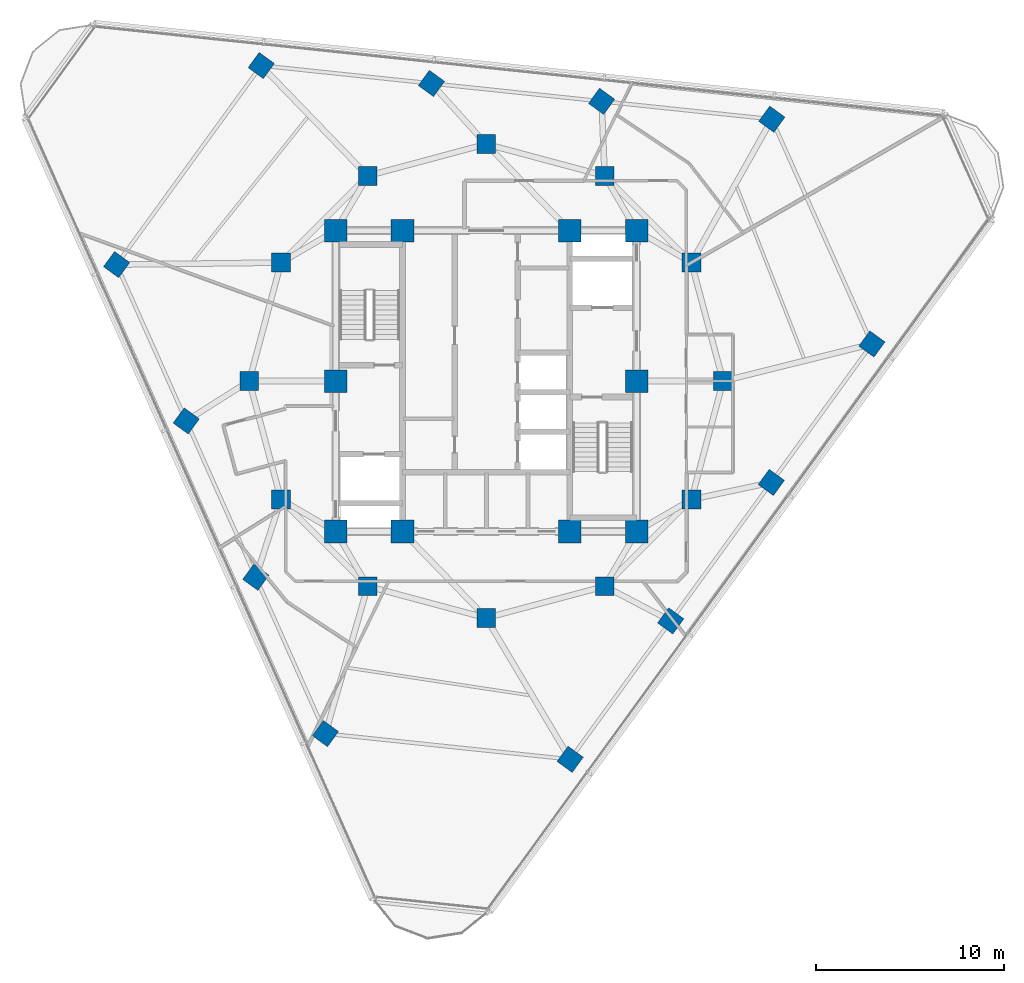
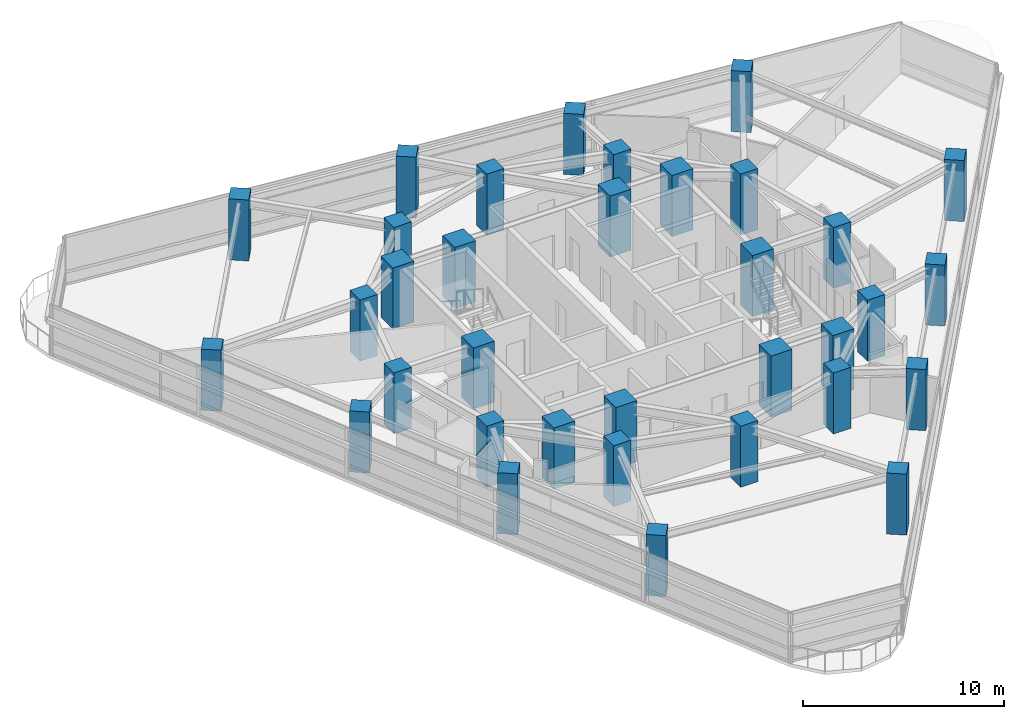
# One storey, part 1 of 14: 34 columns.
"""IFC4 building model written with IfcOpenShell, lengths in metres."""

import ifcopenshell
import ifcopenshell.guid

model = None  # the IFC model being written
_history = None  # IfcOwnerHistory: only IFC2X3 demands one
_inside = {}  # id of a spatial element -> (the spatial element, [elements in it])
_under = {}  # id of a project, library or spatial element -> (it, [spatial elements below it])
_declared = {}  # id of a project -> (the project, [libraries it declares])
_typed = {}  # id of a type object -> (the type object, [elements of that type])
_made_of = {}  # id of a material, layer set ... -> (it, [elements and type objects made of it])


def new_model(schema):
    """Start an empty IFC model of exactly this schema.

    Asked for "IFC4X3", IfcOpenShell would pick the latest addendum, in which some entities
    have other attributes; the version numbers below select the first issue.
    IFC2X3 requires an IfcOwnerHistory on every rooted entity: one is made here for all.
    """
    global model, _history
    if schema == "IFC4X3":
        model = ifcopenshell.file(schema_version=(4, 3, 0, 0))
    else:
        model = ifcopenshell.file(schema=schema)
    _inside.clear()
    _under.clear()
    _declared.clear()
    _typed.clear()
    _made_of.clear()
    _history = None
    if model.schema == "IFC2X3":
        org = make("IfcOrganization", Name="unknown")
        user = make(
            "IfcPersonAndOrganization",
            ThePerson=make("IfcPerson", FamilyName="unknown"),
            TheOrganization=org,
        )
        app = make(
            "IfcApplication",
            ApplicationDeveloper=org,
            Version="unknown",
            ApplicationFullName="unknown",
            ApplicationIdentifier="unknown",
        )
        _history = make(
            "IfcOwnerHistory",
            OwningUser=user,
            OwningApplication=app,
            ChangeAction="ADDED",
            CreationDate=0,
        )
    return model


def make(cls, **values):
    """One entity of the class cls with the attributes given. An attribute that is None is left unset."""
    return model.create_entity(
        cls, **{name: value for name, value in values.items() if value is not None}
    )


def rooted(cls, **values):
    """An entity with a GlobalId (a new one), such as an element, a storey or a relation."""
    return make(cls, GlobalId=ifcopenshell.guid.new(), OwnerHistory=_history, **values)


def si_unit(unit_type, name, prefix=None):
    """IfcSIUnit, for example si_unit("LENGTHUNIT", "METRE", prefix="MILLI")."""
    return make("IfcSIUnit", UnitType=unit_type, Prefix=prefix, Name=name)


def assignment(units):
    """IfcUnitAssignment: the units of a project."""
    return None if units is None else make("IfcUnitAssignment", Units=units)


def point(xyz):
    """IfcCartesianPoint."""
    return None if xyz is None else make("IfcCartesianPoint", Coordinates=xyz)


def direction(xyz):
    """IfcDirection."""
    return None if xyz is None else make("IfcDirection", DirectionRatios=xyz)


def frame(location, z_axis=None, x_axis=None):
    """IfcAxis2Placement3D, a coordinate frame: its origin and axes. An axis left out is left unset."""
    return make(
        "IfcAxis2Placement3D",
        Location=point(location),
        Axis=direction(z_axis),
        RefDirection=direction(x_axis),
    )


def frame_2d(location, x_axis=None):
    """IfcAxis2Placement2D, a coordinate frame in the plane: its origin and x axis."""
    return make(
        "IfcAxis2Placement2D", Location=point(location), RefDirection=direction(x_axis)
    )


def origin():
    """The frame at (0, 0, 0) with its axes left unset."""
    return frame((0.0, 0.0, 0.0))


def origin_2d():
    """The frame at (0, 0) in the plane with its x axis left unset."""
    return frame_2d((0.0, 0.0))


def place(relative_to, where):
    """IfcLocalPlacement: puts the frame where relative to a parent placement (None: the world)."""
    return make(
        "IfcLocalPlacement", PlacementRelTo=relative_to, RelativePlacement=where
    )


def context(
    kind, dimensions, precision=None, world=None, true_north=None, identifier=None
):
    """IfcGeometricRepresentationContext, for example the 3D "Model" context."""
    return make(
        "IfcGeometricRepresentationContext",
        ContextIdentifier=identifier,
        ContextType=kind,
        CoordinateSpaceDimension=dimensions,
        Precision=precision,
        WorldCoordinateSystem=world,
        TrueNorth=true_north,
    )


def subcontext(parent, identifier, kind, view, scale=None):
    """IfcGeometricRepresentationSubContext, for example "Body" below "Model"."""
    return make(
        "IfcGeometricRepresentationSubContext",
        ContextIdentifier=identifier,
        ContextType=kind,
        ParentContext=parent,
        TargetScale=scale,
        TargetView=view,
    )


def project(units=None, contexts=None):
    """IfcProject with its units and contexts."""
    return rooted(
        "IfcProject",
        Name="project",
        RepresentationContexts=contexts,
        UnitsInContext=assignment(units),
    )


def spatial(cls, under=None, at=None, **own):
    """A site, building, storey or space (cls), placed at a placement, below another one or the project."""
    s = rooted(cls, ObjectPlacement=at, **own)
    if under is not None:
        _under.setdefault(under.id(), (under, []))[1].append(s)
    return s


def profile(cls, at=None, kind="AREA", **sizes):
    """A parametric profile (cls). Its sizes go by their IFC names, for example OverallWidth=200.0."""
    return make(cls, ProfileType=kind, Position=at, **sizes)


def rectangle(**sizes):
    """IfcRectangleProfileDef."""
    return profile("IfcRectangleProfileDef", **sizes)


def extrude(swept, where, along, depth):
    """IfcExtrudedAreaSolid: the profile swept, set in the frame where, extruded along a direction by depth."""
    return make(
        "IfcExtrudedAreaSolid",
        SweptArea=swept,
        Position=where,
        ExtrudedDirection=direction(along),
        Depth=depth,
    )


def shape(context_of_items, identifier, shape_type, items):
    """IfcShapeRepresentation: the items that make up one representation, for example the "Body"."""
    return make(
        "IfcShapeRepresentation",
        ContextOfItems=context_of_items,
        RepresentationIdentifier=identifier,
        RepresentationType=shape_type,
        Items=items,
    )


def material(Name=None, Category=None):
    """IfcMaterial."""
    return make("IfcMaterial", Name=Name, Category=Category)


def material_profile(
    of_material, cross_section, Name=None, Category=None, Priority=None
):
    """IfcMaterialProfile: a cross section and its material."""
    return make(
        "IfcMaterialProfile",
        Name=Name,
        Material=of_material,
        Profile=cross_section,
        Priority=Priority,
        Category=Category,
    )


def profile_set(profiles, Name=None, composite=None):
    """IfcMaterialProfileSet."""
    return make(
        "IfcMaterialProfileSet",
        Name=Name,
        MaterialProfiles=profiles,
        CompositeProfile=composite,
    )


def made_of(thing, what):
    """Note that an element or type object is made of a material, layer set ...; save() writes the relation."""
    if what is not None:
        _made_of.setdefault(what.id(), (what, []))[1].append(thing)
    return thing


def type_object(cls, material=None, **own):
    """A type object (cls), such as IfcWallType, which elements share."""
    return made_of(rooted(cls, **own), material)


def element(
    cls,
    number,
    at=None,
    inside=None,
    cuts=None,
    type_object=None,
    material=None,
    context=None,
    identifier="Body",
    shape_type=None,
    held_by="IfcProductDefinitionShape",
    body=None,
    shapes=None,
    **own,
):
    """One element of the class cls, such as IfcWall. Its Tag is "e" and its number.

    at: its placement. inside: the storey or other place that contains it. cuts: it is an
    opening in that element (IfcRelVoidsElement). A single representation is given by context,
    identifier, shape_type and body (its items); several are given by shapes. held_by: the class
    of the entity that holds the representations. save() writes the other relations.
    """
    e = rooted(cls, Tag="e%d" % number, ObjectPlacement=at, **own)
    if body is not None:
        shapes = [shape(context, identifier, shape_type, body)]
    if shapes is not None:
        e.Representation = make(held_by, Representations=shapes)
    if inside is not None:
        _inside.setdefault(inside.id(), (inside, []))[1].append(e)
    if cuts is not None:
        rooted(
            "IfcRelVoidsElement", RelatingBuildingElement=cuts, RelatedOpeningElement=e
        )
    if type_object is not None:
        _typed.setdefault(type_object.id(), (type_object, []))[1].append(e)
    return made_of(e, material)


def aggregate(whole, parts):
    """IfcRelAggregates: a whole, such as a stair, and the parts it consists of."""
    return rooted("IfcRelAggregates", RelatingObject=whole, RelatedObjects=parts)


def save(model, path):
    """Write the relations noted so far, then the file.

    IfcRelAggregates (storeys below a building ...), IfcRelContainedInSpatialStructure (elements
    in a storey), IfcRelDefinesByType, IfcRelAssociatesMaterial and IfcRelDeclares: one each for
    every whole, place, type object, material and project.
    """
    for whole, parts in _under.values():
        aggregate(whole, parts)
    for where, things in _inside.values():
        rooted(
            "IfcRelContainedInSpatialStructure",
            RelatedElements=things,
            RelatingStructure=where,
        )
    for kind, things in _typed.values():
        rooted("IfcRelDefinesByType", RelatedObjects=things, RelatingType=kind)
    for what, things in _made_of.values():
        rooted("IfcRelAssociatesMaterial", RelatedObjects=things, RelatingMaterial=what)
    for by, libraries in _declared.values():
        rooted("IfcRelDeclares", RelatingContext=by, RelatedDefinitions=libraries)
    model.write(path)


model = new_model("IFC4")

# Units and contexts
model_context = context("Model", 3, precision=1e-05, world=origin(), true_north=direction((0.0, 1.0)))
body_context = subcontext(model_context, "Body", "Model", "MODEL_VIEW")
ifc_project = project(units=[si_unit("LENGTHUNIT", "METRE"), si_unit("AREAUNIT", "SQUARE_METRE"), si_unit("VOLUMEUNIT", "CUBIC_METRE"), si_unit("PLANEANGLEUNIT", "RADIAN"), si_unit("MASSUNIT", "GRAM", prefix="KILO")], contexts=[model_context])

# Site, building, storey
site_placement = place(None, origin())
site = spatial("IfcSite", under=ifc_project, at=site_placement, CompositionType="ELEMENT")
building_placement = place(site_placement, origin())
building = spatial("IfcBuilding", under=site, at=building_placement, Name="Terralouvre Media Tower", CompositionType="ELEMENT")
storey_placement = place(building_placement, frame((0.0, 0.0, 241.10009765625)))
storey = spatial("IfcBuildingStorey", under=building, at=storey_placement, Name="L62", CompositionType="ELEMENT", Elevation=241.10009765625)

# Columns
ifc_material_1 = material(Name="Concrete C50/60", Category="concrete")
ifc_material_profile_1 = material_profile(ifc_material_1, rectangle(XDim=1.0, YDim=1.0, at=origin_2d()), Name="RC 1000x1000")
ifc_profile_set_1 = profile_set([ifc_material_profile_1], Name="Concrete C50/60")
column_type_1 = type_object("IfcColumnType", Name="Structural Column C-RC1000 (RC 1000x1000)", PredefinedType="COLUMN", material=ifc_profile_set_1)
for number, where, z_axis, x_axis, name in (
    (1, (12.60009765625, 0.0, 0.0), (0.0, 0.0, 1.0), (1.0, 0.0, 0.0), "L62 Mega-Frame Column MC01"),
    (2, (10.911865234375, 6.300048828125, 0.0), (0.0, 0.0, 1.0), (1.0, 0.0, 0.0), "L62 Mega-Frame Column MC02"),
    (3, (6.300048828125, 10.911865234375, 0.0), (0.0, 0.0, 1.0), (1.0, 0.0, 0.0), "L62 Mega-Frame Column MC03"),
    (4, (0.0, 12.60009765625, 0.0), (0.0, 0.0, 1.0), (1.0, 0.0, 0.0), "L62 Mega-Frame Column MC04"),
    (5, (-6.300048828125, 10.911865234375, 0.0), (0.0, 0.0, 1.0), (1.0, 0.0, 0.0), "L62 Mega-Frame Column MC05"),
    (6, (-10.911865234375, 6.300048828125, 0.0), (0.0, 0.0, 1.0), (1.0, 0.0, 0.0), "L62 Mega-Frame Column MC06"),
    (7, (-12.60009765625, 0.0, 0.0), (0.0, 0.0, 1.0), (1.0, 0.0, 0.0), "L62 Mega-Frame Column MC07"),
    (8, (-10.911865234375, -6.300048828125, 0.0), (0.0, 0.0, 1.0), (1.0, 0.0, 0.0), "L62 Mega-Frame Column MC08"),
    (9, (-6.300048828125, -10.911865234375, 0.0), (0.0, 0.0, 1.0), (1.0, 0.0, 0.0), "L62 Mega-Frame Column MC09"),
    (10, (0.0, -12.60009765625, 0.0), (0.0, 0.0, 1.0), (1.0, 0.0, 0.0), "L62 Mega-Frame Column MC10"),
    (11, (6.300048828125, -10.911865234375, 0.0), (0.0, 0.0, 1.0), (1.0, 0.0, 0.0), "L62 Mega-Frame Column MC11"),
    (12, (10.911865234375, -6.300048828125, 0.0), (0.0, 0.0, 1.0), (1.0, 0.0, 0.0), "L62 Mega-Frame Column MC12"),
    (13, (4.463623046875, -20.115478515625, 0.0), (0.0, 0.0, 1.0), (0.587785252292, 0.809016994375, 0.0), "L62 Perimeter Mega-Column PC11"),
    (14, (9.8125, -12.75341796875, 0.0), (0.0, 0.0, 1.0), (0.587785252292, 0.809016994375, 0.0), "L62 Perimeter Mega-Column PC12"),
    (15, (15.161376953125, -5.391357421875, 0.0), (0.0, 0.0, 1.0), (0.587785252292, 0.809016994375, 0.0), "L62 Perimeter Mega-Column PC13"),
    (16, (20.51025390625, 1.970703125, 0.0), (0.0, 0.0, 1.0), (0.587785252292, 0.809016994375, 0.0), "L62 Perimeter Mega-Column PC14"),
    (17, (15.1884765625, 13.92333984375, 0.0), (0.0, 0.0, 1.0), (0.587785252292, 0.809016994375, 0.0), "L62 Perimeter Mega-Column PC21"),
    (18, (6.138427734375, 14.87451171875, 0.0), (0.0, 0.0, 1.0), (0.587785252292, 0.809016994375, 0.0), "L62 Perimeter Mega-Column PC22"),
    (19, (-2.91162109375, 15.82568359375, 0.0), (0.0, 0.0, 1.0), (0.587785252292, 0.809016994375, 0.0), "L62 Perimeter Mega-Column PC23"),
    (20, (-11.9619140625, 16.77685546875, 0.0), (0.0, 0.0, 1.0), (0.587785252292, 0.809016994375, 0.0), "L62 Perimeter Mega-Column PC24"),
    (21, (-19.65234375, 6.192138671875, 0.0), (0.0, 0.0, 1.0), (0.587785252292, 0.809016994375, 0.0), "L62 Perimeter Mega-Column PC31"),
    (22, (-15.950927734375, -2.121337890625, 0.0), (0.0, 0.0, 1.0), (0.587785252292, 0.809016994375, 0.0), "L62 Perimeter Mega-Column PC32"),
    (23, (-12.249755859375, -10.4345703125, 0.0), (0.0, 0.0, 1.0), (0.587785252292, 0.809016994375, 0.0), "L62 Perimeter Mega-Column PC33"),
    (24, (-8.54833984375, -18.747802734375, 0.0), (0.0, 0.0, 1.0), (0.587785252292, 0.809016994375, 0.0), "L62 Perimeter Mega-Column PC34"),
):
    element("IfcColumn", number, at=place(storey_placement, frame(where, z_axis=z_axis, x_axis=x_axis)), inside=storey, type_object=column_type_1, Name=name, PredefinedType="COLUMN", context=body_context, shape_type="SweptSolid", body=[
        extrude(rectangle(XDim=1.0, YDim=1.0, at=origin_2d()), origin(), (0.0, 0.0, 1.0), 3.699951171875),
    ])
ifc_material_2 = material(Name="Concrete C60/75", Category="concrete")
ifc_material_profile_2 = material_profile(ifc_material_2, rectangle(XDim=1.199951171875, YDim=1.199951171875, at=origin_2d()), Name="RC 1200x1200")
ifc_profile_set_2 = profile_set([ifc_material_profile_2], Name="Concrete C60/75")
column_type_2 = type_object("IfcColumnType", Name="Structural Column C-RC1200 (RC 1200x1200)", PredefinedType="COLUMN", material=ifc_profile_set_2)
for number, where, z_axis, x_axis, name in (
    (25, (-8.0, -8.0, 0.0), (0.0, 0.0, 1.0), (1.0, 0.0, 0.0), "L62 Core Pilaster Column CP1"),
    (26, (-4.449951171875, -8.0, 0.0), (0.0, 0.0, 1.0), (1.0, 0.0, 0.0), "L62 Core Pilaster Column CP2"),
    (27, (4.449951171875, -8.0, 0.0), (0.0, 0.0, 1.0), (1.0, 0.0, 0.0), "L62 Core Pilaster Column CP10"),
    (28, (8.0, -8.0, 0.0), (0.0, 0.0, 1.0), (1.0, 0.0, 0.0), "L62 Core Pilaster Column CP3"),
    (29, (8.0, 0.0, 0.0), (0.0, 0.0, 1.0), (1.0, 0.0, 0.0), "L62 Core Pilaster Column CP4"),
    (30, (8.0, 8.0, 0.0), (0.0, 0.0, 1.0), (1.0, 0.0, 0.0), "L62 Core Pilaster Column CP5"),
    (31, (4.449951171875, 8.0, 0.0), (0.0, 0.0, 1.0), (1.0, 0.0, 0.0), "L62 Core Pilaster Column CP9"),
    (32, (-4.449951171875, 8.0, 0.0), (0.0, 0.0, 1.0), (1.0, 0.0, 0.0), "L62 Core Pilaster Column CP6"),
    (33, (-8.0, 8.0, 0.0), (0.0, 0.0, 1.0), (1.0, 0.0, 0.0), "L62 Core Pilaster Column CP7"),
    (34, (-8.0, 0.0, 0.0), (0.0, 0.0, 1.0), (1.0, 0.0, 0.0), "L62 Core Pilaster Column CP8"),
):
    element("IfcColumn", number, at=place(storey_placement, frame(where, z_axis=z_axis, x_axis=x_axis)), inside=storey, type_object=column_type_2, Name=name, PredefinedType="COLUMN", context=body_context, shape_type="SweptSolid", body=[
        extrude(rectangle(XDim=1.199951171875, YDim=1.199951171875, at=origin_2d()), origin(), (0.0, 0.0, 1.0), 3.699951171875),
    ])

save(model, "model.ifc")
